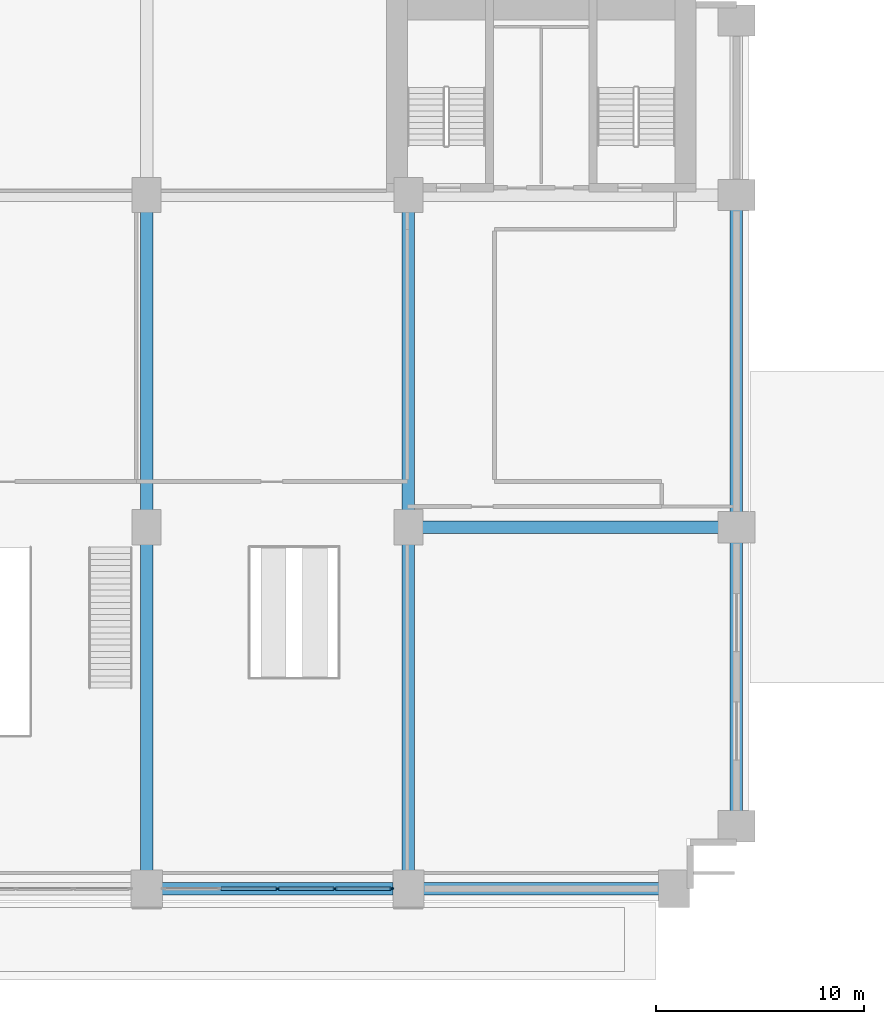
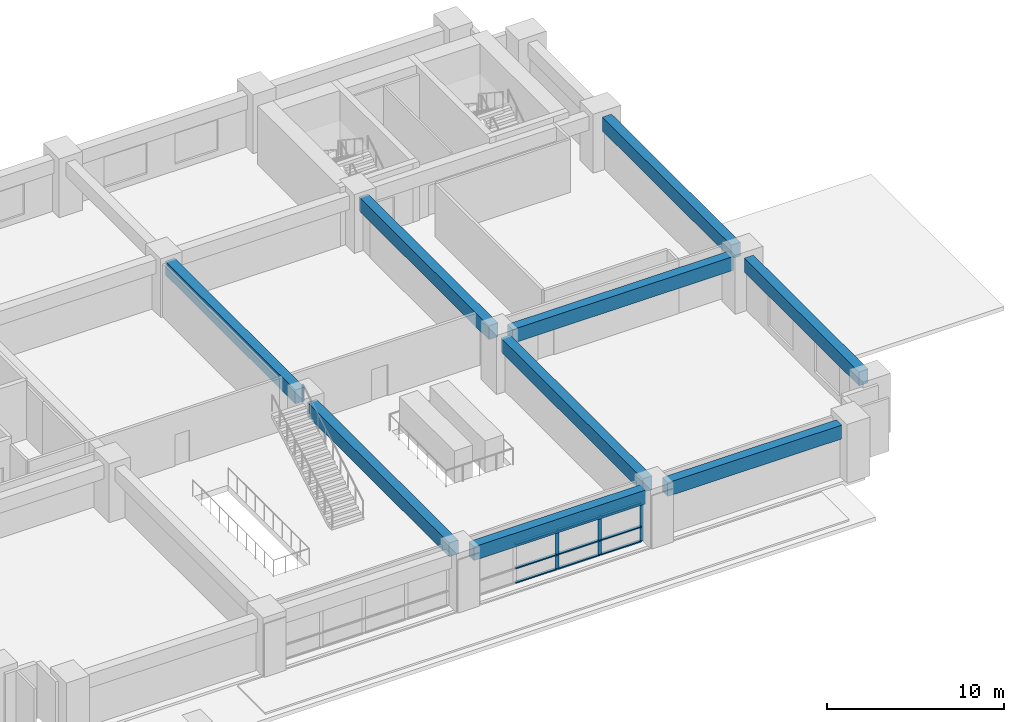
# One storey, part 3 of 11: 12 members, 9 beams, 1 element without a shape of its own.
"""IFC4 building model written with IfcOpenShell, lengths in metres."""

from ifc_helpers import new_model, si_unit, direction, frame, origin, origin_2d, place, context, subcontext, project, spatial, rectangle, extrude, material, layer, layer_set, material_profile, profile_set, type_object, element, aggregate, save


model = new_model("IFC4")

# Units and contexts
model_context = context("Model", 3, precision=1e-05, world=origin(), true_north=direction((0.0, 1.0)))
body_context = subcontext(model_context, "Body", "Model", "MODEL_VIEW")
ifc_project = project(units=[si_unit("LENGTHUNIT", "METRE"), si_unit("AREAUNIT", "SQUARE_METRE"), si_unit("VOLUMEUNIT", "CUBIC_METRE"), si_unit("PLANEANGLEUNIT", "RADIAN"), si_unit("MASSUNIT", "GRAM", prefix="KILO")], contexts=[model_context])

# Site, building, storey
site_placement = place(None, origin())
site = spatial("IfcSite", under=ifc_project, at=site_placement, CompositionType="ELEMENT")
building_placement = place(site_placement, origin())
building = spatial("IfcBuilding", under=site, at=building_placement, Name="Sulina Concourse Tower", CompositionType="ELEMENT")
storey_placement = place(building_placement, frame((0.0, 0.0, 5.39990234375)))
storey = spatial("IfcBuildingStorey", under=building, at=storey_placement, Name="L01", CompositionType="ELEMENT", Elevation=5.39990234375)

# Beams
ifc_material_1 = material(Name="Concrete C60/75", Category="concrete")
ifc_material_profile_1 = material_profile(ifc_material_1, rectangle(XDim=0.60009765625, YDim=0.949951171875, at=origin_2d()), Name="RC 600x950")
ifc_profile_set_1 = profile_set([ifc_material_profile_1], Name="Concrete C60/75")
beam_type = type_object("IfcBeamType", Name="Basement & Podium Primary Beam 600x950", PredefinedType="BEAM", material=ifc_profile_set_1)
beam_1_placement = place(storey_placement, frame((29.72998046875, 0.60009765625, 3.175048828125), z_axis=(1.0, 0.0, 0.0), x_axis=(0.0, 1.0, 0.0)))
element("IfcBeam", 1, at=beam_1_placement, inside=storey, type_object=beam_type, Name="PB-S3-L01", PredefinedType="BEAM", context=body_context, shape_type="SweptSolid", body=[
    extrude(rectangle(XDim=0.60009765625, YDim=0.949951171875, at=origin_2d()), origin(), (0.0, 0.0, 1.0), 11.14013671875),
])
beam_2_placement = place(storey_placement, frame((42.330078125, 0.60009765625, 3.175048828125), z_axis=(1.0, 0.0, 0.0), x_axis=(0.0, 1.0, 0.0)))
element("IfcBeam", 2, at=beam_2_placement, inside=storey, type_object=beam_type, Name="PB-S4-L01", PredefinedType="BEAM", context=body_context, shape_type="SweptSolid", body=[
    extrude(rectangle(XDim=0.60009765625, YDim=0.949951171875, at=origin_2d()), origin(), (0.0, 0.0, 1.0), 11.33984375),
])
beam_3_placement = place(storey_placement, frame((42.280029296875, 18.0, 3.175048828125), z_axis=(1.0, 0.0, 0.0), x_axis=(0.0, 1.0, 0.0)))
element("IfcBeam", 3, at=beam_3_placement, inside=storey, type_object=beam_type, Name="PB-M5-L01", PredefinedType="BEAM", context=body_context, shape_type="SweptSolid", body=[
    extrude(rectangle(XDim=0.60009765625, YDim=0.949951171875, at=origin_2d()), origin(), (0.0, 0.0, 1.0), 14.389892578125),
])
beam_4_placement = place(storey_placement, frame((57.39990234375, 4.330078125, 3.175048828125), z_axis=(0.0, 1.0, 0.0), x_axis=(-1.0, 0.0, 0.0)))
element("IfcBeam", 4, at=beam_4_placement, inside=storey, type_object=beam_type, Name="PB-E1-L01", PredefinedType="BEAM", context=body_context, shape_type="SweptSolid", body=[
    extrude(rectangle(XDim=0.60009765625, YDim=0.949951171875, at=origin_2d()), origin(), (0.0, 0.0, 1.0), 12.93994140625),
])
beam_5_placement = place(storey_placement, frame((57.39990234375, 18.72998046875, 3.175048828125), z_axis=(0.0, 1.0, 0.0), x_axis=(-1.0, 0.0, 0.0)))
element("IfcBeam", 5, at=beam_5_placement, inside=storey, type_object=beam_type, Name="PB-E2-L01", PredefinedType="BEAM", context=body_context, shape_type="SweptSolid", body=[
    extrude(rectangle(XDim=0.60009765625, YDim=0.949951171875, at=origin_2d()), origin(), (0.0, 0.0, 1.0), 14.5400390625),
])
beam_6_placement = place(storey_placement, frame((29.0, 1.330078125, 3.175048828125), z_axis=(0.0, 1.0, 0.0), x_axis=(-1.0, 0.0, 0.0)))
element("IfcBeam", 6, at=beam_6_placement, inside=storey, type_object=beam_type, Name="PB-NS2A-L01", PredefinedType="BEAM", context=body_context, shape_type="SweptSolid", body=[
    extrude(rectangle(XDim=0.60009765625, YDim=0.949951171875, at=origin_2d()), origin(), (0.0, 0.0, 1.0), 15.989990234375),
])
beam_7_placement = place(storey_placement, frame((29.0, 18.679931640625, 3.175048828125), z_axis=(0.0, 1.0, 0.0), x_axis=(-1.0, 0.0, 0.0)))
element("IfcBeam", 7, at=beam_7_placement, inside=storey, type_object=beam_type, Name="PB-NS2B-L01", PredefinedType="BEAM", context=body_context, shape_type="SweptSolid", body=[
    extrude(rectangle(XDim=0.60009765625, YDim=0.949951171875, at=origin_2d()), origin(), (0.0, 0.0, 1.0), 14.64013671875),
])
beam_8_placement = place(storey_placement, frame((41.60009765625, 1.330078125, 3.175048828125), z_axis=(0.0, 1.0, 0.0), x_axis=(-1.0, 0.0, 0.0)))
element("IfcBeam", 8, at=beam_8_placement, inside=storey, type_object=beam_type, Name="PB-NS3A-L01", PredefinedType="BEAM", context=body_context, shape_type="SweptSolid", body=[
    extrude(rectangle(XDim=0.60009765625, YDim=0.949951171875, at=origin_2d()), origin(), (0.0, 0.0, 1.0), 15.989990234375),
])
beam_9_placement = place(storey_placement, frame((41.60009765625, 18.679931640625, 3.175048828125), z_axis=(0.0, 1.0, 0.0), x_axis=(-1.0, 0.0, 0.0)))
element("IfcBeam", 9, at=beam_9_placement, inside=storey, type_object=beam_type, Name="PB-NS3B-L01", PredefinedType="BEAM", context=body_context, shape_type="SweptSolid", body=[
    extrude(rectangle(XDim=0.60009765625, YDim=0.949951171875, at=origin_2d()), origin(), (0.0, 0.0, 1.0), 14.64013671875),
])

# Curtain wall, members
ifc_material_2 = material(Name="Anodised bronze aluminium", Category="aluminium")
ifc_layer = layer(ifc_material_2, 0.239990234375)
ifc_layer_set = layer_set([ifc_layer], Name="Anodised bronze aluminium")
curtain_wall_type = type_object("IfcCurtainWallType", Name="Station Concourse Curtain Wall System", PredefinedType="NOTDEFINED", material=ifc_layer_set)
curtain_wall_placement = place(storey_placement, origin())
curtain_wall = element("IfcCurtainWall", 10, at=curtain_wall_placement, inside=storey, type_object=curtain_wall_type, Name="L01 glazed curtain wall S3", PredefinedType="NOTDEFINED")
ifc_material_3 = material(Name="Anodised bronze aluminium", Category="aluminium")
ifc_material_profile_2 = material_profile(ifc_material_3, rectangle(XDim=0.074951171875, YDim=0.219970703125, at=origin_2d()), Name="MUL 75x220")
ifc_profile_set_2 = profile_set([ifc_material_profile_2], Name="Anodised bronze aluminium")
member_type_1 = type_object("IfcMemberType", Name="Station Concourse Curtain Wall System Mullion 75x220", PredefinedType="MULLION", material=ifc_profile_set_2)
member_1_placement = place(storey_placement, frame((40.79248046875, 0.60009765625, 0.0), z_axis=(0.0, 0.0, 1.0), x_axis=(0.0, -1.0, 0.0)))
member_1 = element("IfcMember", 11, at=member_1_placement, type_object=member_type_1, Name="CW-01 mullion 1", PredefinedType="MULLION", context=body_context, shape_type="SweptSolid", body=[
    extrude(rectangle(XDim=0.074951171875, YDim=0.219970703125, at=origin_2d()), origin(), (0.0, 0.0, 1.0), 2.7001953125),
])
member_2_placement = place(storey_placement, frame((38.06494140625, 0.60009765625, 0.0), z_axis=(0.0, 0.0, 1.0), x_axis=(0.0, -1.0, 0.0)))
member_2 = element("IfcMember", 12, at=member_2_placement, type_object=member_type_1, Name="CW-01 mullion 2", PredefinedType="MULLION", context=body_context, shape_type="SweptSolid", body=[
    extrude(rectangle(XDim=0.074951171875, YDim=0.219970703125, at=origin_2d()), origin(), (0.0, 0.0, 1.0), 2.7001953125),
])
member_3_placement = place(storey_placement, frame((35.300048828125, 0.60009765625, 0.0), z_axis=(0.0, 0.0, 1.0), x_axis=(0.0, -1.0, 0.0)))
member_3 = element("IfcMember", 13, at=member_3_placement, type_object=member_type_1, Name="CW-01 mullion 3", PredefinedType="MULLION", context=body_context, shape_type="SweptSolid", body=[
    extrude(rectangle(XDim=0.074951171875, YDim=0.219970703125, at=origin_2d()), origin(), (0.0, 0.0, 1.0), 2.7001953125),
])
ifc_material_4 = material(Name="Anodised bronze aluminium", Category="aluminium")
ifc_material_profile_3 = material_profile(ifc_material_4, rectangle(XDim=0.179931640625, YDim=0.074951171875, at=origin_2d()), Name="TRN 75x180")
ifc_profile_set_3 = profile_set([ifc_material_profile_3], Name="Anodised bronze aluminium")
member_type_2 = type_object("IfcMemberType", Name="Station Concourse Curtain Wall System Transom 75x180", PredefinedType="USERDEFINED", material=ifc_profile_set_3)
member_4_placement = place(storey_placement, frame((40.7548828125, 0.60009765625, 0.03759765625), z_axis=(-1.0, 0.0, 0.0), x_axis=(0.0, -1.0, 0.0)))
member_4 = element("IfcMember", 14, at=member_4_placement, type_object=member_type_2, Name="CW-01 transom 1.1", ObjectType="TRANSOM", PredefinedType="USERDEFINED", context=body_context, shape_type="SweptSolid", body=[
    extrude(rectangle(XDim=0.179931640625, YDim=0.074951171875, at=origin_2d()), origin(), (0.0, 0.0, 1.0), 2.65234375),
])
member_5_placement = place(storey_placement, frame((40.7548828125, 0.60009765625, 1.026123046875), z_axis=(-1.0, 0.0, 0.0), x_axis=(0.0, -1.0, 0.0)))
member_5 = element("IfcMember", 15, at=member_5_placement, type_object=member_type_2, Name="CW-01 transom 1.2", ObjectType="TRANSOM", PredefinedType="USERDEFINED", context=body_context, shape_type="SweptSolid", body=[
    extrude(rectangle(XDim=0.179931640625, YDim=0.074951171875, at=origin_2d()), origin(), (0.0, 0.0, 1.0), 2.65234375),
])
member_6_placement = place(storey_placement, frame((40.7548828125, 0.60009765625, 2.66259765625), z_axis=(-1.0, 0.0, 0.0), x_axis=(0.0, -1.0, 0.0)))
member_6 = element("IfcMember", 16, at=member_6_placement, type_object=member_type_2, Name="CW-01 transom 1.3", ObjectType="TRANSOM", PredefinedType="USERDEFINED", context=body_context, shape_type="SweptSolid", body=[
    extrude(rectangle(XDim=0.179931640625, YDim=0.074951171875, at=origin_2d()), origin(), (0.0, 0.0, 1.0), 2.65234375),
])
member_7_placement = place(storey_placement, frame((38.027587890625, 0.60009765625, 0.03759765625), z_axis=(-1.0, 0.0, 0.0), x_axis=(0.0, -1.0, 0.0)))
member_7 = element("IfcMember", 17, at=member_7_placement, type_object=member_type_2, Name="CW-01 transom 2.1", ObjectType="TRANSOM", PredefinedType="USERDEFINED", context=body_context, shape_type="SweptSolid", body=[
    extrude(rectangle(XDim=0.179931640625, YDim=0.074951171875, at=origin_2d()), origin(), (0.0, 0.0, 1.0), 2.690185546875),
])
member_8_placement = place(storey_placement, frame((38.027587890625, 0.60009765625, 1.026123046875), z_axis=(-1.0, 0.0, 0.0), x_axis=(0.0, -1.0, 0.0)))
member_8 = element("IfcMember", 18, at=member_8_placement, type_object=member_type_2, Name="CW-01 transom 2.2", ObjectType="TRANSOM", PredefinedType="USERDEFINED", context=body_context, shape_type="SweptSolid", body=[
    extrude(rectangle(XDim=0.179931640625, YDim=0.074951171875, at=origin_2d()), origin(), (0.0, 0.0, 1.0), 2.690185546875),
])
member_9_placement = place(storey_placement, frame((38.027587890625, 0.60009765625, 2.66259765625), z_axis=(-1.0, 0.0, 0.0), x_axis=(0.0, -1.0, 0.0)))
member_9 = element("IfcMember", 19, at=member_9_placement, type_object=member_type_2, Name="CW-01 transom 2.3", ObjectType="TRANSOM", PredefinedType="USERDEFINED", context=body_context, shape_type="SweptSolid", body=[
    extrude(rectangle(XDim=0.179931640625, YDim=0.074951171875, at=origin_2d()), origin(), (0.0, 0.0, 1.0), 2.690185546875),
])
member_10_placement = place(storey_placement, frame((35.262451171875, 0.60009765625, 0.03759765625), z_axis=(-1.0, 0.0, 0.0), x_axis=(0.0, -1.0, 0.0)))
member_10 = element("IfcMember", 20, at=member_10_placement, type_object=member_type_2, Name="CW-01 transom 3.1", ObjectType="TRANSOM", PredefinedType="USERDEFINED", context=body_context, shape_type="SweptSolid", body=[
    extrude(rectangle(XDim=0.179931640625, YDim=0.074951171875, at=origin_2d()), origin(), (0.0, 0.0, 1.0), 2.68994140625),
])
member_11_placement = place(storey_placement, frame((35.262451171875, 0.60009765625, 1.026123046875), z_axis=(-1.0, 0.0, 0.0), x_axis=(0.0, -1.0, 0.0)))
member_11 = element("IfcMember", 21, at=member_11_placement, type_object=member_type_2, Name="CW-01 transom 3.2", ObjectType="TRANSOM", PredefinedType="USERDEFINED", context=body_context, shape_type="SweptSolid", body=[
    extrude(rectangle(XDim=0.179931640625, YDim=0.074951171875, at=origin_2d()), origin(), (0.0, 0.0, 1.0), 2.68994140625),
])
member_12_placement = place(storey_placement, frame((35.262451171875, 0.60009765625, 2.66259765625), z_axis=(-1.0, 0.0, 0.0), x_axis=(0.0, -1.0, 0.0)))
member_12 = element("IfcMember", 22, at=member_12_placement, type_object=member_type_2, Name="CW-01 transom 3.3", ObjectType="TRANSOM", PredefinedType="USERDEFINED", context=body_context, shape_type="SweptSolid", body=[
    extrude(rectangle(XDim=0.179931640625, YDim=0.074951171875, at=origin_2d()), origin(), (0.0, 0.0, 1.0), 2.68994140625),
])
aggregate(curtain_wall, [member_1, member_2, member_3, member_4, member_5, member_6, member_7, member_8, member_9, member_10, member_11, member_12])

save(model, "model.ifc")
